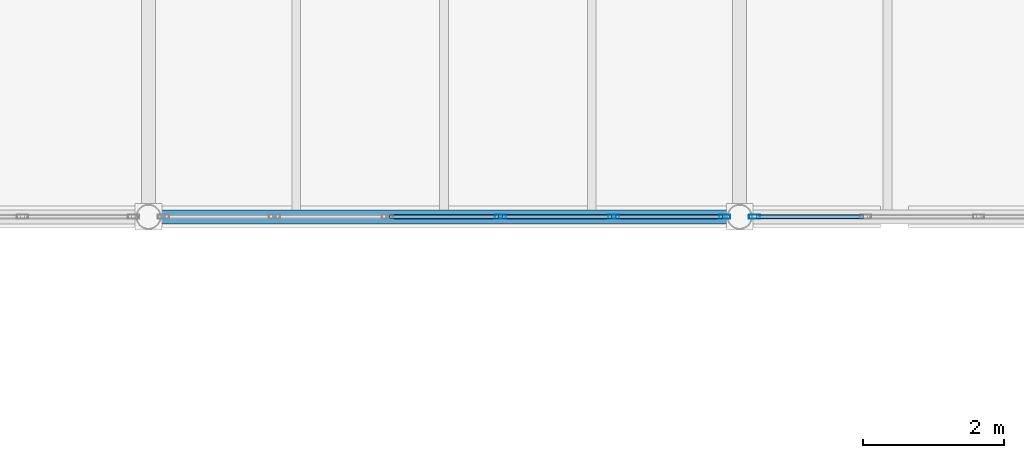
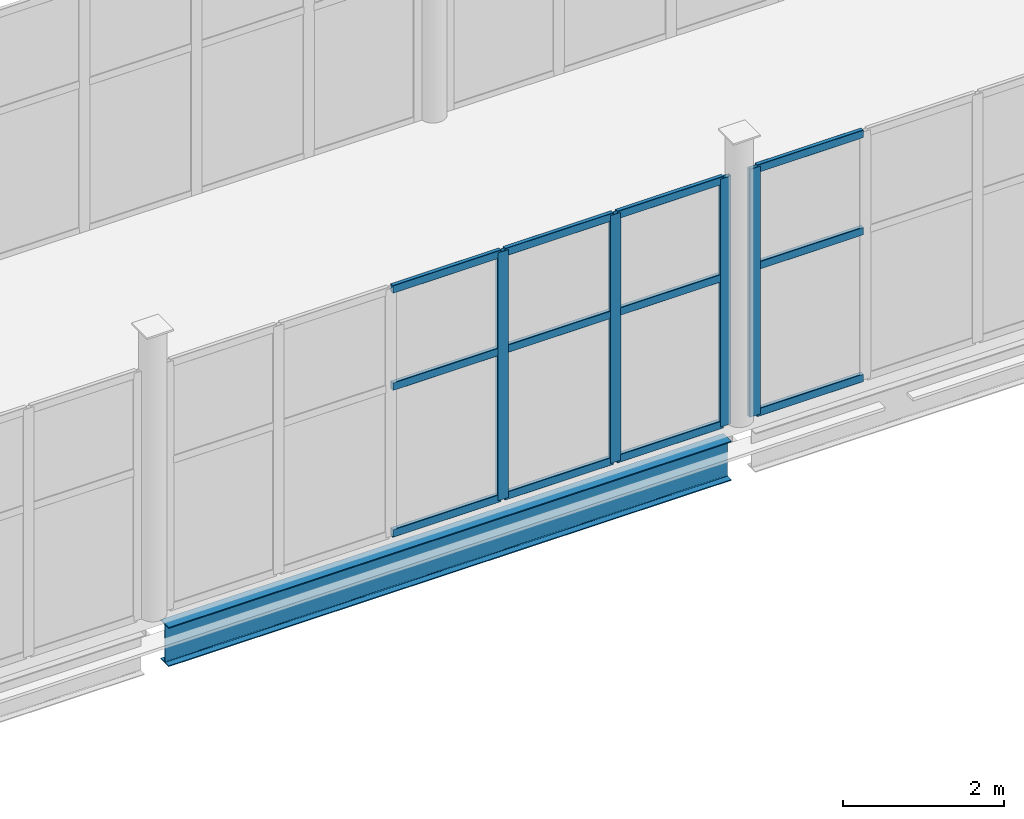
# One storey, part 47 of 172: 16 members, 1 beam, 2 elements without a shape of their own.
"""IFC4 building model written with IfcOpenShell, lengths in metres."""

from ifc_helpers import new_model, si_unit, direction, frame, origin, origin_2d, place, context, subcontext, project, spatial, hollow_rectangle, i_section, extrude, material, material_profile, profile_set, type_object, element, aggregate, save


model = new_model("IFC4")

# Units and contexts
model_context = context("Model", 3, precision=1e-05, world=origin(), true_north=direction((0.0, 1.0)))
body_context = subcontext(model_context, "Body", "Model", "MODEL_VIEW")
ifc_project = project(units=[si_unit("LENGTHUNIT", "METRE"), si_unit("AREAUNIT", "SQUARE_METRE"), si_unit("VOLUMEUNIT", "CUBIC_METRE"), si_unit("PLANEANGLEUNIT", "RADIAN"), si_unit("MASSUNIT", "GRAM", prefix="KILO")], contexts=[model_context])

# Site, building, storey
site_placement = place(None, origin())
site = spatial("IfcSite", under=ifc_project, at=site_placement, CompositionType="ELEMENT")
building_placement = place(site_placement, origin())
building = spatial("IfcBuilding", under=site, at=building_placement, Name="Shengluoqiao Park Theatre", CompositionType="ELEMENT")
storey_placement = place(building_placement, frame((0.0, 0.0, 5.39990234375)))
storey = spatial("IfcBuildingStorey", under=building, at=storey_placement, Name="L01", CompositionType="ELEMENT", Elevation=5.39990234375)

# Curtain wall, members
ifc_material_1 = material(Name="Aluminium 6063-T6", Category="aluminium")
curtain_wall_type = type_object("IfcCurtainWallType", Name="ENV-CW-BRIDGE", PredefinedType="NOTDEFINED", material=ifc_material_1)
curtain_wall_1_placement = place(storey_placement, origin())
curtain_wall_1 = element("IfcCurtainWall", 1, at=curtain_wall_1_placement, inside=storey, type_object=curtain_wall_type, Name="L01 Curtain Wall CWX-L01-0126", PredefinedType="NOTDEFINED")
ifc_material_profile_1 = material_profile(ifc_material_1, hollow_rectangle(XDim=0.06005859375, YDim=0.159912109375, WallThickness=0.00390625, InnerFilletRadius=0.00390625, OuterFilletRadius=0.008056640625, at=origin_2d()), Name="ALU MULLION 160x60x4")
ifc_profile_set_1 = profile_set([ifc_material_profile_1], Name="Aluminium 6063-T6")
member_type_1 = type_object("IfcMemberType", Name="ENV-MUL-160", PredefinedType="MULLION", material=ifc_profile_set_1)
member_1_placement = place(storey_placement, frame((74.603515625, 53.199951171875, 0.0), z_axis=(0.0, 0.0, 1.0), x_axis=(0.0, 1.0, 0.0)))
member_1 = element("IfcMember", 2, at=member_1_placement, type_object=member_type_1, Name="CW-03 mullion 4", PredefinedType="MULLION", context=body_context, shape_type="SweptSolid", body=[
    extrude(hollow_rectangle(XDim=0.06005859375, YDim=0.159912109375, WallThickness=0.00390625, InnerFilletRadius=0.00390625, OuterFilletRadius=0.008056640625, at=origin_2d()), origin(), (0.0, 0.0, 1.0), 3.752197265625),
])
member_2_placement = place(storey_placement, frame((76.210693359375, 53.199951171875, 0.0), z_axis=(0.0, 0.0, 1.0), x_axis=(0.0, 1.0, 0.0)))
member_2 = element("IfcMember", 3, at=member_2_placement, type_object=member_type_1, Name="CW-03 mullion 5", PredefinedType="MULLION", context=body_context, shape_type="SweptSolid", body=[
    extrude(hollow_rectangle(XDim=0.06005859375, YDim=0.159912109375, WallThickness=0.00390625, InnerFilletRadius=0.00390625, OuterFilletRadius=0.008056640625, at=origin_2d()), origin(), (0.0, 0.0, 1.0), 3.752197265625),
])
member_3_placement = place(storey_placement, frame((77.7880859375, 53.199951171875, 0.0), z_axis=(0.0, 0.0, 1.0), x_axis=(0.0, 1.0, 0.0)))
member_3 = element("IfcMember", 4, at=member_3_placement, type_object=member_type_1, Name="CW-03 mullion 6", PredefinedType="MULLION", context=body_context, shape_type="SweptSolid", body=[
    extrude(hollow_rectangle(XDim=0.06005859375, YDim=0.159912109375, WallThickness=0.00390625, InnerFilletRadius=0.00390625, OuterFilletRadius=0.008056640625, at=origin_2d()), origin(), (0.0, 0.0, 1.0), 3.752197265625),
])

# Curtain wall, member
curtain_wall_2_placement = place(storey_placement, origin())
curtain_wall_2 = element("IfcCurtainWall", 5, at=curtain_wall_2_placement, inside=storey, type_object=curtain_wall_type, Name="L01 Curtain Wall CWX-L01-0127", PredefinedType="NOTDEFINED")
member_4_placement = place(storey_placement, frame((78.2119140625, 53.199951171875, 0.0), z_axis=(0.0, 0.0, 1.0), x_axis=(0.0, 1.0, 0.0)))
member_4 = element("IfcMember", 6, at=member_4_placement, type_object=member_type_1, Name="CW-03 mullion 1", PredefinedType="MULLION", context=body_context, shape_type="SweptSolid", body=[
    extrude(hollow_rectangle(XDim=0.06005859375, YDim=0.159912109375, WallThickness=0.00390625, InnerFilletRadius=0.00390625, OuterFilletRadius=0.008056640625, at=origin_2d()), origin(), (0.0, 0.0, 1.0), 3.752197265625),
])

# Member
ifc_material_profile_2 = material_profile(ifc_material_1, hollow_rectangle(XDim=0.06005859375, YDim=0.1201171875, WallThickness=0.00390625, InnerFilletRadius=0.00390625, OuterFilletRadius=0.008056640625, at=origin_2d()), Name="ALU TRANSOM 120x60x4")
ifc_profile_set_2 = profile_set([ifc_material_profile_2], Name="Aluminium 6063-T6")
member_type_2 = type_object("IfcMemberType", Name="ENV-TRN-120", PredefinedType="USERDEFINED", material=ifc_profile_set_2)
member_5_placement = place(storey_placement, frame((73.0263671875, 53.199951171875, 0.030029296875), z_axis=(1.0, 0.0, 0.0), x_axis=(0.0, 1.0, 0.0)))
member_5 = element("IfcMember", 7, at=member_5_placement, type_object=member_type_2, Name="CW-03 transom 3.1", ObjectType="TRANSOM", PredefinedType="USERDEFINED", context=body_context, shape_type="SweptSolid", body=[
    extrude(hollow_rectangle(XDim=0.06005859375, YDim=0.1201171875, WallThickness=0.00390625, InnerFilletRadius=0.00390625, OuterFilletRadius=0.008056640625, at=origin_2d()), origin(), (0.0, 0.0, 1.0), 1.547119140625),
])

member_6_placement = place(storey_placement, frame((73.0263671875, 53.199951171875, 2.2509765625), z_axis=(1.0, 0.0, 0.0), x_axis=(0.0, 1.0, 0.0)))
member_6 = element("IfcMember", 8, at=member_6_placement, type_object=member_type_2, Name="CW-03 transom 3.2", ObjectType="TRANSOM", PredefinedType="USERDEFINED", context=body_context, shape_type="SweptSolid", body=[
    extrude(hollow_rectangle(XDim=0.06005859375, YDim=0.1201171875, WallThickness=0.00390625, InnerFilletRadius=0.00390625, OuterFilletRadius=0.008056640625, at=origin_2d()), origin(), (0.0, 0.0, 1.0), 1.547119140625),
])

member_7_placement = place(storey_placement, frame((73.0263671875, 53.199951171875, 3.72216796875), z_axis=(1.0, 0.0, 0.0), x_axis=(0.0, 1.0, 0.0)))
member_7 = element("IfcMember", 9, at=member_7_placement, type_object=member_type_2, Name="CW-03 transom 3.3", ObjectType="TRANSOM", PredefinedType="USERDEFINED", context=body_context, shape_type="SweptSolid", body=[
    extrude(hollow_rectangle(XDim=0.06005859375, YDim=0.1201171875, WallThickness=0.00390625, InnerFilletRadius=0.00390625, OuterFilletRadius=0.008056640625, at=origin_2d()), origin(), (0.0, 0.0, 1.0), 1.547119140625),
])

member_8_placement = place(storey_placement, frame((74.633544921875, 53.199951171875, 0.030029296875), z_axis=(1.0, 0.0, 0.0), x_axis=(0.0, 1.0, 0.0)))
member_8 = element("IfcMember", 10, at=member_8_placement, type_object=member_type_2, Name="CW-03 transom 4.1", ObjectType="TRANSOM", PredefinedType="USERDEFINED", context=body_context, shape_type="SweptSolid", body=[
    extrude(hollow_rectangle(XDim=0.06005859375, YDim=0.1201171875, WallThickness=0.00390625, InnerFilletRadius=0.00390625, OuterFilletRadius=0.008056640625, at=origin_2d()), origin(), (0.0, 0.0, 1.0), 1.54736328125),
])

member_9_placement = place(storey_placement, frame((74.633544921875, 53.199951171875, 2.2509765625), z_axis=(1.0, 0.0, 0.0), x_axis=(0.0, 1.0, 0.0)))
member_9 = element("IfcMember", 11, at=member_9_placement, type_object=member_type_2, Name="CW-03 transom 4.2", ObjectType="TRANSOM", PredefinedType="USERDEFINED", context=body_context, shape_type="SweptSolid", body=[
    extrude(hollow_rectangle(XDim=0.06005859375, YDim=0.1201171875, WallThickness=0.00390625, InnerFilletRadius=0.00390625, OuterFilletRadius=0.008056640625, at=origin_2d()), origin(), (0.0, 0.0, 1.0), 1.54736328125),
])

member_10_placement = place(storey_placement, frame((74.633544921875, 53.199951171875, 3.72216796875), z_axis=(1.0, 0.0, 0.0), x_axis=(0.0, 1.0, 0.0)))
member_10 = element("IfcMember", 12, at=member_10_placement, type_object=member_type_2, Name="CW-03 transom 4.3", ObjectType="TRANSOM", PredefinedType="USERDEFINED", context=body_context, shape_type="SweptSolid", body=[
    extrude(hollow_rectangle(XDim=0.06005859375, YDim=0.1201171875, WallThickness=0.00390625, InnerFilletRadius=0.00390625, OuterFilletRadius=0.008056640625, at=origin_2d()), origin(), (0.0, 0.0, 1.0), 1.54736328125),
])

member_11_placement = place(storey_placement, frame((76.24072265625, 53.199951171875, 0.030029296875), z_axis=(1.0, 0.0, 0.0), x_axis=(0.0, 1.0, 0.0)))
member_11 = element("IfcMember", 13, at=member_11_placement, type_object=member_type_2, Name="CW-03 transom 5.1", ObjectType="TRANSOM", PredefinedType="USERDEFINED", context=body_context, shape_type="SweptSolid", body=[
    extrude(hollow_rectangle(XDim=0.06005859375, YDim=0.1201171875, WallThickness=0.00390625, InnerFilletRadius=0.00390625, OuterFilletRadius=0.008056640625, at=origin_2d()), origin(), (0.0, 0.0, 1.0), 1.517333984375),
])

member_12_placement = place(storey_placement, frame((76.24072265625, 53.199951171875, 2.2509765625), z_axis=(1.0, 0.0, 0.0), x_axis=(0.0, 1.0, 0.0)))
member_12 = element("IfcMember", 14, at=member_12_placement, type_object=member_type_2, Name="CW-03 transom 5.2", ObjectType="TRANSOM", PredefinedType="USERDEFINED", context=body_context, shape_type="SweptSolid", body=[
    extrude(hollow_rectangle(XDim=0.06005859375, YDim=0.1201171875, WallThickness=0.00390625, InnerFilletRadius=0.00390625, OuterFilletRadius=0.008056640625, at=origin_2d()), origin(), (0.0, 0.0, 1.0), 1.517333984375),
])

member_13_placement = place(storey_placement, frame((76.24072265625, 53.199951171875, 3.72216796875), z_axis=(1.0, 0.0, 0.0), x_axis=(0.0, 1.0, 0.0)))
member_13 = element("IfcMember", 15, at=member_13_placement, type_object=member_type_2, Name="CW-03 transom 5.3", ObjectType="TRANSOM", PredefinedType="USERDEFINED", context=body_context, shape_type="SweptSolid", body=[
    extrude(hollow_rectangle(XDim=0.06005859375, YDim=0.1201171875, WallThickness=0.00390625, InnerFilletRadius=0.00390625, OuterFilletRadius=0.008056640625, at=origin_2d()), origin(), (0.0, 0.0, 1.0), 1.517333984375),
])

aggregate(curtain_wall_1, [member_1, member_2, member_3, member_5, member_6, member_7, member_8, member_9, member_10, member_11, member_12, member_13])

member_14_placement = place(storey_placement, frame((78.241943359375, 53.199951171875, 0.030029296875), z_axis=(1.0, 0.0, 0.0), x_axis=(0.0, 1.0, 0.0)))
member_14 = element("IfcMember", 16, at=member_14_placement, type_object=member_type_2, Name="CW-03 transom 1.1", ObjectType="TRANSOM", PredefinedType="USERDEFINED", context=body_context, shape_type="SweptSolid", body=[
    extrude(hollow_rectangle(XDim=0.06005859375, YDim=0.1201171875, WallThickness=0.00390625, InnerFilletRadius=0.00390625, OuterFilletRadius=0.008056640625, at=origin_2d()), origin(), (0.0, 0.0, 1.0), 1.517333984375),
])

member_15_placement = place(storey_placement, frame((78.241943359375, 53.199951171875, 2.2509765625), z_axis=(1.0, 0.0, 0.0), x_axis=(0.0, 1.0, 0.0)))
member_15 = element("IfcMember", 17, at=member_15_placement, type_object=member_type_2, Name="CW-03 transom 1.2", ObjectType="TRANSOM", PredefinedType="USERDEFINED", context=body_context, shape_type="SweptSolid", body=[
    extrude(hollow_rectangle(XDim=0.06005859375, YDim=0.1201171875, WallThickness=0.00390625, InnerFilletRadius=0.00390625, OuterFilletRadius=0.008056640625, at=origin_2d()), origin(), (0.0, 0.0, 1.0), 1.517333984375),
])

member_16_placement = place(storey_placement, frame((78.241943359375, 53.199951171875, 3.72216796875), z_axis=(1.0, 0.0, 0.0), x_axis=(0.0, 1.0, 0.0)))
member_16 = element("IfcMember", 18, at=member_16_placement, type_object=member_type_2, Name="CW-03 transom 1.3", ObjectType="TRANSOM", PredefinedType="USERDEFINED", context=body_context, shape_type="SweptSolid", body=[
    extrude(hollow_rectangle(XDim=0.06005859375, YDim=0.1201171875, WallThickness=0.00390625, InnerFilletRadius=0.00390625, OuterFilletRadius=0.008056640625, at=origin_2d()), origin(), (0.0, 0.0, 1.0), 1.517333984375),
])

aggregate(curtain_wall_2, [member_4, member_14, member_15, member_16])

# Beam
ifc_material_2 = material(Name="Steel Q355", Category="steel")
ifc_material_profile_3 = material_profile(ifc_material_2, i_section(OverallWidth=0.198974609375, OverallDepth=0.595947265625, WebThickness=0.010009765625, FlangeThickness=0.014892578125, FilletRadius=0.02001953125, at=origin_2d()), Name="HN 596x199x10x15")
ifc_profile_set_3 = profile_set([ifc_material_profile_3], Name="Steel Q355")
beam_type = type_object("IfcBeamType", Name="STR-BM-SP-HN596", PredefinedType="SPANDREL", material=ifc_profile_set_3)
beam_placement = place(storey_placement, frame((69.77197265625, 53.199951171875, -0.5078125), z_axis=(1.0, 0.0, 0.0), x_axis=(0.0, 1.0, 0.0)))
element("IfcBeam", 19, at=beam_placement, inside=storey, type_object=beam_type, Name="L01 Primary Girder 00564", PredefinedType="SPANDREL", context=body_context, shape_type="SweptSolid", body=[
    extrude(i_section(OverallWidth=0.198974609375, OverallDepth=0.595947265625, WebThickness=0.010009765625, FlangeThickness=0.014892578125, FilletRadius=0.02001953125, at=origin_2d()), origin(), (0.0, 0.0, 1.0), 8.055908203125),
])

save(model, "model.ifc")
